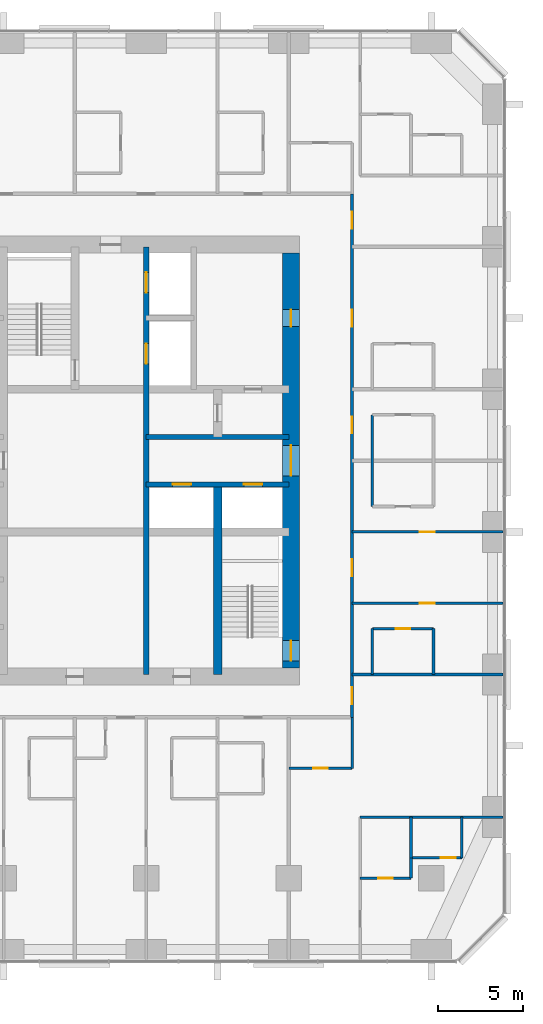
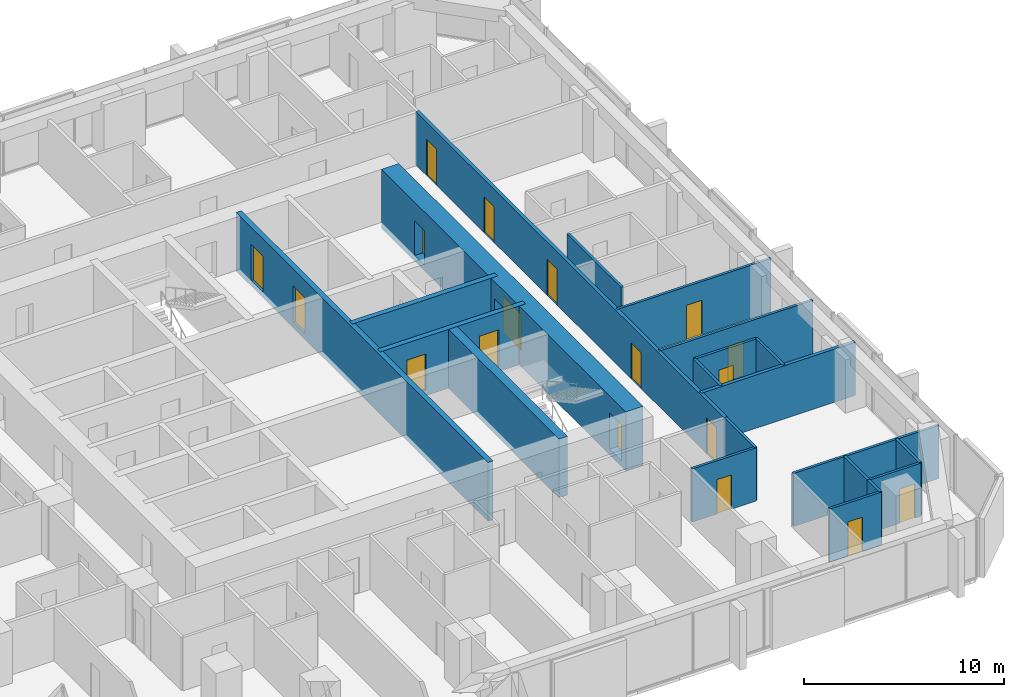
# One storey, part 10 of 14: 21 walls, 18 doors, 18 openings.
"""IFC4 building model written with IfcOpenShell, lengths in metres."""

from ifc_helpers import new_model, si_unit, direction, frame, frame_2d, origin, place, context, subcontext, project, spatial, rectangle, extrude, material, layer, layer_set, type_object, element, fill, save


model = new_model("IFC4")

# Units and contexts
model_context = context("Model", 3, precision=1e-05, world=origin(), true_north=direction((0.0, 1.0)))
body_context = subcontext(model_context, "Body", "Model", "MODEL_VIEW")
ifc_project = project(units=[si_unit("LENGTHUNIT", "METRE"), si_unit("AREAUNIT", "SQUARE_METRE"), si_unit("VOLUMEUNIT", "CUBIC_METRE"), si_unit("PLANEANGLEUNIT", "RADIAN"), si_unit("MASSUNIT", "GRAM", prefix="KILO")], contexts=[model_context])

# Site, building, storey
site_placement = place(None, origin())
site = spatial("IfcSite", under=ifc_project, at=site_placement, CompositionType="ELEMENT")
building_placement = place(site_placement, origin())
building = spatial("IfcBuilding", under=site, at=building_placement, Name="Dunama Terrace Hotel", CompositionType="ELEMENT")
storey_placement = place(building_placement, frame((0.0, 0.0, 140.39990234375)))
storey = spatial("IfcBuildingStorey", under=building, at=storey_placement, Name="L36", CompositionType="ELEMENT", Elevation=140.39990234375)

# Walls
ifc_material_1 = material(Name="Gypsum board partition", Category="masonry")
ifc_layer_1 = layer(ifc_material_1, 0.14990234375)
ifc_layer_set_1 = layer_set([ifc_layer_1], Name="Bathroom partition 150")
wall_type_1 = type_object("IfcWallType", Name="Bathroom partition 150", PredefinedType="PARTITIONING", material=ifc_layer_set_1)
wall_1_placement = place(storey_placement, frame((45.72509765625, 11.27490234375, 0.0), z_axis=(0.0, 0.0, 1.0), x_axis=(0.0, 1.0, 0.0)))
element("IfcWall", 1, at=wall_1_placement, inside=storey, type_object=wall_type_1, Name="Bathroom partition 150 L36", PredefinedType="PARTITIONING", context=body_context, shape_type="SweptSolid", body=[
    extrude(rectangle(XDim=3.0, YDim=0.14990234375, at=frame_2d((1.5, 0.0))), origin(), (0.0, 0.0, 1.0), 3.25),
])
wall_2_placement = place(storey_placement, frame((46.925048828125, 16.800048828125, 0.0), z_axis=(0.0, 0.0, 1.0), x_axis=(0.0, 1.0, 0.0)))
element("IfcWall", 2, at=wall_2_placement, inside=storey, type_object=wall_type_1, Name="Bathroom partition 150 L36", PredefinedType="PARTITIONING", context=body_context, shape_type="SweptSolid", body=[
    extrude(rectangle(XDim=2.699951171875, YDim=0.14990234375, at=frame_2d((1.35009765625, 0.0))), origin(), (0.0, 0.0, 1.0), 3.25),
])
wall_3_placement = place(storey_placement, frame((46.925048828125, 26.699951171875, 0.0), z_axis=(0.0, 0.0, 1.0), x_axis=(0.0, 1.0, 0.0)))
element("IfcWall", 3, at=wall_3_placement, inside=storey, type_object=wall_type_1, Name="Bathroom partition 150 L36", PredefinedType="PARTITIONING", context=body_context, shape_type="SweptSolid", body=[
    extrude(rectangle(XDim=5.400146484375, YDim=0.14990234375, at=frame_2d((2.7001953125, 0.0))), origin(), (0.0, 0.0, 1.0), 3.25),
])
wall_4_placement = place(storey_placement, frame((49.199951171875, 4.800048828125, 0.0), z_axis=(0.0, 0.0, 1.0), x_axis=(0.0, 1.0, 0.0)))
element("IfcWall", 4, at=wall_4_placement, inside=storey, type_object=wall_type_1, Name="Bathroom partition 150 L36", PredefinedType="PARTITIONING", context=body_context, shape_type="SweptSolid", body=[
    extrude(rectangle(XDim=1.199951171875, YDim=0.14990234375, at=frame_2d((0.60009765625, 0.0))), origin(), (0.0, 0.0, 1.0), 3.25),
])
wall_5_placement = place(storey_placement, frame((50.52490234375, 16.800048828125, 0.0), z_axis=(0.0, 0.0, 1.0), x_axis=(0.0, 1.0, 0.0)))
element("IfcWall", 5, at=wall_5_placement, inside=storey, type_object=wall_type_1, Name="Bathroom partition 150 L36", PredefinedType="PARTITIONING", context=body_context, shape_type="SweptSolid", body=[
    extrude(rectangle(XDim=2.699951171875, YDim=0.14990234375, at=frame_2d((1.35009765625, 0.0))), origin(), (0.0, 0.0, 1.0), 3.25),
])

# Wall, opening, door
wall_6_placement = place(storey_placement, frame((46.199951171875, 4.800048828125, 0.0), z_axis=(0.0, 0.0, 1.0), x_axis=(1.0, 0.0, 0.0)))
wall_6 = element("IfcWall", 6, at=wall_6_placement, inside=storey, type_object=wall_type_1, Name="Bathroom partition 150 L36", PredefinedType="PARTITIONING", context=body_context, shape_type="SweptSolid", body=[
    extrude(rectangle(XDim=3.0, YDim=0.14990234375, at=frame_2d((1.5, 0.0))), origin(), (0.0, 0.0, 1.0), 3.25),
])
opening_1_placement = place(wall_6_placement, frame((1.074951171875, 0.0, 0.0)))
opening_1 = element("IfcOpeningElement", 7, at=opening_1_placement, cuts=wall_6, Name="Opening L34-36-058", PredefinedType="OPENING", context=body_context, shape_type="SweptSolid", body=[
    extrude(rectangle(XDim=0.85009765625, YDim=2.10009765625, at=frame_2d((0.425048828125, 1.050048828125))), frame((0.0, 0.0849609375, 0.0), z_axis=(0.0, -1.0, 0.0), x_axis=(1.0, 0.0, 0.0)), (0.0, 0.0, 1.0), 0.169921875),
])
ifc_material_2 = material(Name="Timber door with steel frame", Category="steel")
door_type_1 = type_object("IfcDoorType", Name="Bathroom door 850", OperationType="SINGLE_SWING_LEFT", PredefinedType="DOOR", material=ifc_material_2)
door_1_placement = place(opening_1_placement, origin())
door_1 = element("IfcDoor", 8, at=door_1_placement, inside=storey, type_object=door_type_1, Name="Door to en-suite bathroom L34-36-058, type D2", OperationType="SINGLE_SWING_RIGHT", OverallHeight=2.10009765625, OverallWidth=0.85009765625, PredefinedType="DOOR", context=body_context, shape_type="SweptSolid", body=[
    extrude(rectangle(XDim=0.85009765625, YDim=2.10009765625, at=frame_2d((0.425048828125, 1.050048828125))), frame((0.0, 0.02490234375, 0.0), z_axis=(0.0, -1.0, 0.0), x_axis=(1.0, 0.0, 0.0)), (0.0, 0.0, 1.0), 0.050048828125),
])
fill(opening_1, door_1)

wall_7_placement = place(storey_placement, frame((42.0, 11.27490234375, 0.0), z_axis=(0.0, 0.0, 1.0), x_axis=(1.0, 0.0, 0.0)))
wall_7 = element("IfcWall", 9, at=wall_7_placement, inside=storey, type_object=wall_type_1, Name="Bathroom partition 150 L36", PredefinedType="PARTITIONING", context=body_context, shape_type="SweptSolid", body=[
    extrude(rectangle(XDim=3.72509765625, YDim=0.14990234375, at=frame_2d((1.862548828125, 0.0))), origin(), (0.0, 0.0, 1.0), 3.25),
])
opening_2_placement = place(wall_7_placement, frame((1.43798828125, 0.0, 0.0)))
opening_2 = element("IfcOpeningElement", 10, at=opening_2_placement, cuts=wall_7, Name="Opening L34-36-056", PredefinedType="OPENING", context=body_context, shape_type="SweptSolid", body=[
    extrude(rectangle(XDim=0.85009765625, YDim=2.10009765625, at=frame_2d((0.425048828125, 1.050048828125))), frame((0.0, 0.0849609375, 0.0), z_axis=(0.0, -1.0, 0.0), x_axis=(1.0, 0.0, 0.0)), (0.0, 0.0, 1.0), 0.169921875),
])
door_2_placement = place(opening_2_placement, origin())
door_2 = element("IfcDoor", 11, at=door_2_placement, inside=storey, type_object=door_type_1, Name="Door to powder room L34-36-056, type D2", OperationType="SINGLE_SWING_LEFT", OverallHeight=2.10009765625, OverallWidth=0.85009765625, PredefinedType="DOOR", context=body_context, shape_type="SweptSolid", body=[
    extrude(rectangle(XDim=0.85009765625, YDim=2.10009765625, at=frame_2d((0.425048828125, 1.050048828125))), frame((0.0, 0.02490234375, 0.0), z_axis=(0.0, -1.0, 0.0), x_axis=(1.0, 0.0, 0.0)), (0.0, 0.0, 1.0), 0.050048828125),
])
fill(opening_2, door_2)

wall_8_placement = place(storey_placement, frame((46.925048828125, 19.5, 0.0), z_axis=(0.0, 0.0, 1.0), x_axis=(1.0, 0.0, 0.0)))
wall_8 = element("IfcWall", 12, at=wall_8_placement, inside=storey, type_object=wall_type_1, Name="Bathroom partition 150 L36", PredefinedType="PARTITIONING", context=body_context, shape_type="SweptSolid", body=[
    extrude(rectangle(XDim=3.599853515625, YDim=0.14990234375, at=frame_2d((1.7998046875, 0.0))), origin(), (0.0, 0.0, 1.0), 3.25),
])
opening_3_placement = place(wall_8_placement, frame((1.375, 0.0, 0.0)))
opening_3 = element("IfcOpeningElement", 13, at=opening_3_placement, cuts=wall_8, Name="Opening L34-36-025", PredefinedType="OPENING", context=body_context, shape_type="SweptSolid", body=[
    extrude(rectangle(XDim=0.85009765625, YDim=2.10009765625, at=frame_2d((0.425048828125, 1.050048828125))), frame((0.0, 0.0849609375, 0.0), z_axis=(0.0, -1.0, 0.0), x_axis=(1.0, 0.0, 0.0)), (0.0, 0.0, 1.0), 0.169921875),
])
door_3_placement = place(opening_3_placement, frame((0.85009765625, 0.0, 0.0), z_axis=(0.0, 0.0, 1.0), x_axis=(-1.0, 0.0, 0.0)))
door_3 = element("IfcDoor", 14, at=door_3_placement, inside=storey, type_object=door_type_1, Name="Door to en-suite bathroom L34-36-025, type D2", OperationType="SINGLE_SWING_RIGHT", OverallHeight=2.10009765625, OverallWidth=0.85009765625, PredefinedType="DOOR", context=body_context, shape_type="SweptSolid", body=[
    extrude(rectangle(XDim=0.85009765625, YDim=2.10009765625, at=frame_2d((0.425048828125, 1.050048828125))), frame((0.0, 0.025146484375, 0.0), z_axis=(0.0, -1.0, 0.0), x_axis=(1.0, 0.0, 0.0)), (0.0, 0.0, 1.0), 0.050048828125),
])
fill(opening_3, door_3)

# Wall, openings, doors
ifc_material_3 = material(Name="Concrete C50/60", Category="concrete")
ifc_layer_2 = layer(ifc_material_3, 0.300048828125)
ifc_layer_set_2 = layer_set([ifc_layer_2], Name="Core inner wall 300")
wall_type_2 = type_object("IfcWallType", Name="Core inner wall 300", PredefinedType="SHEAR", material=ifc_layer_set_2)
wall_9_placement = place(storey_placement, frame((33.60009765625, 16.800048828125, -0.349853515625), z_axis=(0.0, 0.0, 1.0), x_axis=(0.0, 1.0, 0.0)))
wall_9 = element("IfcWall", 15, at=wall_9_placement, inside=storey, type_object=wall_type_2, Name="Core inner wall 300 L36", PredefinedType="SHEAR", context=body_context, shape_type="SweptSolid", body=[
    extrude(rectangle(XDim=25.199951171875, YDim=0.300048828125, at=frame_2d((12.60009765625, 0.0))), origin(), (0.0, 0.0, 1.0), 3.599853515625),
])
opening_4_placement = place(wall_9_placement, frame((22.5, 0.0, 0.35009765625)))
opening_4 = element("IfcOpeningElement", 16, at=opening_4_placement, cuts=wall_9, Name="Opening L34-36-009", PredefinedType="OPENING", context=body_context, shape_type="SweptSolid", body=[
    extrude(rectangle(XDim=1.199951171875, YDim=2.199951171875, at=frame_2d((0.60009765625, 1.10009765625))), frame((0.0, 0.159912109375, 0.0), z_axis=(0.0, -1.0, 0.0), x_axis=(1.0, 0.0, 0.0)), (0.0, 0.0, 1.0), 0.320068359375),
])
opening_5_placement = place(wall_9_placement, frame((18.300048828125, 0.0, 0.35009765625)))
opening_5 = element("IfcOpeningElement", 17, at=opening_5_placement, cuts=wall_9, Name="Opening L34-36-010", PredefinedType="OPENING", context=body_context, shape_type="SweptSolid", body=[
    extrude(rectangle(XDim=1.199951171875, YDim=2.199951171875, at=frame_2d((0.60009765625, 1.10009765625))), frame((0.0, 0.159912109375, 0.0), z_axis=(0.0, -1.0, 0.0), x_axis=(1.0, 0.0, 0.0)), (0.0, 0.0, 1.0), 0.320068359375),
])
ifc_material_4 = material(Name="Stainless steel lift door", Category="steel")
door_type_2 = type_object("IfcDoorType", Name="Firefighting lift landing door 1200", OperationType="DOUBLE_DOOR_SLIDING", PredefinedType="DOOR", material=ifc_material_4)
door_4_placement = place(opening_4_placement, origin())
door_4 = element("IfcDoor", 18, at=door_4_placement, inside=storey, type_object=door_type_2, Name="Landing door FL1 L34-36-009, type LD2", OperationType="DOUBLE_DOOR_SLIDING", OverallHeight=2.199951171875, OverallWidth=1.199951171875, PredefinedType="DOOR", context=body_context, shape_type="SweptSolid", body=[
    extrude(rectangle(XDim=1.199951171875, YDim=2.199951171875, at=frame_2d((0.60009765625, 1.10009765625))), frame((0.0, 0.02490234375, 0.0), z_axis=(0.0, -1.0, 0.0), x_axis=(1.0, 0.0, 0.0)), (0.0, 0.0, 1.0), 0.050048828125),
])
fill(opening_4, door_4)
door_5_placement = place(opening_5_placement, origin())
door_5 = element("IfcDoor", 19, at=door_5_placement, inside=storey, type_object=door_type_2, Name="Landing door FL2 L34-36-010, type LD2", OperationType="DOUBLE_DOOR_SLIDING", OverallHeight=2.199951171875, OverallWidth=1.199951171875, PredefinedType="DOOR", context=body_context, shape_type="SweptSolid", body=[
    extrude(rectangle(XDim=1.199951171875, YDim=2.199951171875, at=frame_2d((0.60009765625, 1.10009765625))), frame((0.0, 0.02490234375, 0.0), z_axis=(0.0, -1.0, 0.0), x_axis=(1.0, 0.0, 0.0)), (0.0, 0.0, 1.0), 0.050048828125),
])
fill(opening_5, door_5)

wall_10_placement = place(storey_placement, frame((33.60009765625, 28.0, -0.349853515625), z_axis=(0.0, 0.0, 1.0), x_axis=(1.0, 0.0, 0.0)))
wall_10 = element("IfcWall", 20, at=wall_10_placement, inside=storey, type_object=wall_type_2, Name="Core inner wall 300 L36", PredefinedType="SHEAR", context=body_context, shape_type="SweptSolid", body=[
    extrude(rectangle(XDim=8.39990234375, YDim=0.300048828125, at=frame_2d((4.199951171875, 0.0))), origin(), (0.0, 0.0, 1.0), 3.599853515625),
])
opening_6_placement = place(wall_10_placement, frame((1.550048828125, 0.0, 0.35009765625)))
opening_6 = element("IfcOpeningElement", 21, at=opening_6_placement, cuts=wall_10, Name="Opening L34-36-003", PredefinedType="OPENING", context=body_context, shape_type="SweptSolid", body=[
    extrude(rectangle(XDim=1.10009765625, YDim=2.199951171875, at=frame_2d((0.550048828125, 1.10009765625))), frame((0.0, 0.159912109375, 0.0), z_axis=(0.0, -1.0, 0.0), x_axis=(1.0, 0.0, 0.0)), (0.0, 0.0, 1.0), 0.320068359375),
])
opening_7_placement = place(wall_10_placement, frame((5.75, 0.0, 0.35009765625)))
opening_7 = element("IfcOpeningElement", 22, at=opening_7_placement, cuts=wall_10, Name="Opening L34-36-004", PredefinedType="OPENING", context=body_context, shape_type="SweptSolid", body=[
    extrude(rectangle(XDim=1.10009765625, YDim=2.199951171875, at=frame_2d((0.550048828125, 1.10009765625))), frame((0.0, 0.159912109375, 0.0), z_axis=(0.0, -1.0, 0.0), x_axis=(1.0, 0.0, 0.0)), (0.0, 0.0, 1.0), 0.320068359375),
])
ifc_material_5 = material(Name="Stainless steel lift door", Category="steel")
door_type_3 = type_object("IfcDoorType", Name="Lift landing door 1100", OperationType="DOUBLE_DOOR_SLIDING", PredefinedType="DOOR", material=ifc_material_5)
door_6_placement = place(opening_6_placement, origin())
door_6 = element("IfcDoor", 23, at=door_6_placement, inside=storey, type_object=door_type_3, Name="Landing door PB1 L34-36-003, type LD1", OperationType="DOUBLE_DOOR_SLIDING", OverallHeight=2.199951171875, OverallWidth=1.10009765625, PredefinedType="DOOR", context=body_context, shape_type="SweptSolid", body=[
    extrude(rectangle(XDim=1.10009765625, YDim=2.199951171875, at=frame_2d((0.550048828125, 1.10009765625))), frame((0.0, 0.02490234375, 0.0), z_axis=(0.0, -1.0, 0.0), x_axis=(1.0, 0.0, 0.0)), (0.0, 0.0, 1.0), 0.050048828125),
])
fill(opening_6, door_6)
door_7_placement = place(opening_7_placement, origin())
door_7 = element("IfcDoor", 24, at=door_7_placement, inside=storey, type_object=door_type_3, Name="Landing door PB2 L34-36-004, type LD1", OperationType="DOUBLE_DOOR_SLIDING", OverallHeight=2.199951171875, OverallWidth=1.10009765625, PredefinedType="DOOR", context=body_context, shape_type="SweptSolid", body=[
    extrude(rectangle(XDim=1.10009765625, YDim=2.199951171875, at=frame_2d((0.550048828125, 1.10009765625))), frame((0.0, 0.02490234375, 0.0), z_axis=(0.0, -1.0, 0.0), x_axis=(1.0, 0.0, 0.0)), (0.0, 0.0, 1.0), 0.050048828125),
])
fill(opening_7, door_7)

# Walls
wall_11_placement = place(storey_placement, frame((33.60009765625, 30.800048828125, -0.349853515625), z_axis=(0.0, 0.0, 1.0), x_axis=(1.0, 0.0, 0.0)))
element("IfcWall", 25, at=wall_11_placement, inside=storey, type_object=wall_type_2, Name="Core inner wall 300 L36", PredefinedType="SHEAR", context=body_context, shape_type="SweptSolid", body=[
    extrude(rectangle(XDim=8.39990234375, YDim=0.300048828125, at=frame_2d((4.199951171875, 0.0))), origin(), (0.0, 0.0, 1.0), 3.599853515625),
])
ifc_material_6 = material(Name="Concrete C50/60", Category="concrete")
ifc_layer_3 = layer(ifc_material_6, 0.5)
ifc_layer_set_3 = layer_set([ifc_layer_3], Name="Core inner wall 500")
wall_type_3 = type_object("IfcWallType", Name="Core inner wall 500", PredefinedType="SHEAR", material=ifc_layer_set_3)
wall_12_placement = place(storey_placement, frame((37.800048828125, 16.800048828125, -0.349853515625), z_axis=(0.0, 0.0, 1.0), x_axis=(0.0, 1.0, 0.0)))
element("IfcWall", 26, at=wall_12_placement, inside=storey, type_object=wall_type_3, Name="Core inner wall 500 L36", PredefinedType="SHEAR", context=body_context, shape_type="SweptSolid", body=[
    extrude(rectangle(XDim=11.199951171875, YDim=0.5, at=frame_2d((5.60009765625, 0.0))), origin(), (0.0, 0.0, 1.0), 3.599853515625),
])

# Wall, openings, doors
ifc_material_7 = material(Name="Concrete C60/75", Category="concrete")
ifc_layer_4 = layer(ifc_material_7, 1.0)
ifc_layer_set_4 = layer_set([ifc_layer_4], Name="Core wall 1000")
wall_type_4 = type_object("IfcWallType", Name="Core wall 1000", PredefinedType="SHEAR", material=ifc_layer_set_4)
wall_13_placement = place(storey_placement, frame((42.125, 17.175048828125, -0.349853515625), z_axis=(0.0, 0.0, 1.0), x_axis=(0.0, 1.0, 0.0)))
wall_13 = element("IfcWall", 27, at=wall_13_placement, inside=storey, type_object=wall_type_4, Name="Core wall east L36", PredefinedType="SHEAR", context=body_context, shape_type="SweptSolid", body=[
    extrude(rectangle(XDim=24.449951171875, YDim=1.0, at=frame_2d((12.22509765625, 0.0))), origin(), (0.0, 0.0, 1.0), 3.599853515625),
])
opening_8_placement = place(wall_13_placement, frame((0.425048828125, 0.0, 0.35009765625)))
opening_8 = element("IfcOpeningElement", 28, at=opening_8_placement, cuts=wall_13, Name="Opening L34-36-002", PredefinedType="OPENING", context=body_context, shape_type="SweptSolid", body=[
    extrude(rectangle(XDim=1.199951171875, YDim=2.199951171875, at=frame_2d((0.60009765625, 1.10009765625))), frame((0.0, 0.510009765625, 0.0), z_axis=(0.0, -1.0, 0.0), x_axis=(1.0, 0.0, 0.0)), (0.0, 0.0, 1.0), 1.02001953125),
])
opening_9_placement = place(wall_13_placement, frame((11.324951171875, 0.0, 0.35009765625)))
opening_9 = element("IfcOpeningElement", 29, at=opening_9_placement, cuts=wall_13, Name="Opening L34-36-077", PredefinedType="OPENING", context=body_context, shape_type="SweptSolid", body=[
    extrude(rectangle(XDim=1.800048828125, YDim=2.199951171875, at=frame_2d((0.89990234375, 1.10009765625))), frame((0.0, 0.510009765625, 0.0), z_axis=(0.0, -1.0, 0.0), x_axis=(1.0, 0.0, 0.0)), (0.0, 0.0, 1.0), 1.02001953125),
])
opening_10_placement = place(wall_13_placement, frame((20.125, 0.0, 0.35009765625)))
opening_10 = element("IfcOpeningElement", 30, at=opening_10_placement, cuts=wall_13, Name="Opening L34-36-079", PredefinedType="OPENING", context=body_context, shape_type="SweptSolid", body=[
    extrude(rectangle(XDim=1.0, YDim=2.10009765625, at=frame_2d((0.5, 1.050048828125))), frame((0.0, 0.510009765625, 0.0), z_axis=(0.0, -1.0, 0.0), x_axis=(1.0, 0.0, 0.0)), (0.0, 0.0, 1.0), 1.02001953125),
])
ifc_material_8 = material(Name="Timber door with steel frame", Category="steel")
door_type_4 = type_object("IfcDoorType", Name="Lift lobby double door 1800", OperationType="DOUBLE_DOOR_DOUBLE_SWING", PredefinedType="DOOR", material=ifc_material_8)
door_8_placement = place(opening_9_placement, origin())
door_8 = element("IfcDoor", 31, at=door_8_placement, inside=storey, type_object=door_type_4, Name="Door to lift lobby L34-36-077, type D3", OperationType="DOUBLE_DOOR_DOUBLE_SWING", OverallHeight=2.199951171875, OverallWidth=1.800048828125, PredefinedType="DOOR", context=body_context, shape_type="SweptSolid", body=[
    extrude(rectangle(XDim=1.800048828125, YDim=2.199951171875, at=frame_2d((0.89990234375, 1.10009765625))), frame((0.0, 0.02490234375, 0.0), z_axis=(0.0, -1.0, 0.0), x_axis=(1.0, 0.0, 0.0)), (0.0, 0.0, 1.0), 0.050048828125),
])
fill(opening_9, door_8)
ifc_material_9 = material(Name="Timber door with steel frame", Category="steel")
door_type_5 = type_object("IfcDoorType", Name="Service door 1000", OperationType="SINGLE_SWING_LEFT", PredefinedType="DOOR", material=ifc_material_9)
door_9_placement = place(opening_10_placement, origin())
door_9 = element("IfcDoor", 32, at=door_9_placement, inside=storey, type_object=door_type_5, Name="Door to ice and vending room L34-36-079, type D7", OperationType="SINGLE_SWING_RIGHT", OverallHeight=2.10009765625, OverallWidth=1.0, PredefinedType="DOOR", context=body_context, shape_type="SweptSolid", body=[
    extrude(rectangle(XDim=1.0, YDim=2.10009765625, at=frame_2d((0.5, 1.050048828125))), frame((0.0, 0.02490234375, 0.0), z_axis=(0.0, -1.0, 0.0), x_axis=(1.0, 0.0, 0.0)), (0.0, 0.0, 1.0), 0.050048828125),
])
fill(opening_10, door_9)
ifc_material_10 = material(Name="Timber door with steel frame", Category="steel")
door_type_6 = type_object("IfcDoorType", Name="Stair door 1200", OperationType="SINGLE_SWING_LEFT", PredefinedType="DOOR", material=ifc_material_10)
door_10_placement = place(opening_8_placement, origin())
door_10 = element("IfcDoor", 33, at=door_10_placement, inside=storey, type_object=door_type_6, Name="Stair door ST2 L34-36-002, type D5", OperationType="SINGLE_SWING_LEFT", OverallHeight=2.199951171875, OverallWidth=1.199951171875, PredefinedType="DOOR", context=body_context, shape_type="SweptSolid", body=[
    extrude(rectangle(XDim=1.199951171875, YDim=2.199951171875, at=frame_2d((0.60009765625, 1.10009765625))), frame((0.0, 0.02490234375, 0.0), z_axis=(0.0, -1.0, 0.0), x_axis=(1.0, 0.0, 0.0)), (0.0, 0.0, 1.0), 0.050048828125),
])
fill(opening_8, door_10)

ifc_material_11 = material(Name="Concrete blockwork", Category="masonry")
ifc_layer_5 = layer(ifc_material_11, 0.199951171875)
ifc_layer_set_5 = layer_set([ifc_layer_5], Name="Corridor partition 200")
wall_type_5 = type_object("IfcWallType", Name="Corridor partition 200", PredefinedType="PARTITIONING", material=ifc_layer_set_5)
wall_14_placement = place(storey_placement, frame((45.72509765625, 45.125, 0.0), z_axis=(0.0, 0.0, 1.0), x_axis=(0.0, -1.0, 0.0)))
wall_14 = element("IfcWall", 34, at=wall_14_placement, inside=storey, type_object=wall_type_5, Name="Corridor partition 200 L36", PredefinedType="PARTITIONING", context=body_context, shape_type="SweptSolid", body=[
    extrude(rectangle(XDim=30.85009765625, YDim=0.199951171875, at=frame_2d((15.425048828125, 0.0))), origin(), (0.0, 0.0, 1.0), 3.25),
])
opening_11_placement = place(wall_14_placement, frame((21.52490234375, 0.0, 0.0)))
opening_11 = element("IfcOpeningElement", 35, at=opening_11_placement, cuts=wall_14, Name="Opening L34-36-023", PredefinedType="OPENING", context=body_context, shape_type="SweptSolid", body=[
    extrude(rectangle(XDim=1.0, YDim=2.199951171875, at=frame_2d((0.5, 1.10009765625))), frame((0.0, 0.10986328125, 0.0), z_axis=(0.0, -1.0, 0.0), x_axis=(1.0, 0.0, 0.0)), (0.0, 0.0, 1.0), 0.219970703125),
])
opening_12_placement = place(wall_14_placement, frame((13.125, 0.0, 0.0)))
opening_12 = element("IfcOpeningElement", 36, at=opening_12_placement, cuts=wall_14, Name="Opening L34-36-028", PredefinedType="OPENING", context=body_context, shape_type="SweptSolid", body=[
    extrude(rectangle(XDim=1.0, YDim=2.199951171875, at=frame_2d((0.5, 1.10009765625))), frame((0.0, 0.10986328125, 0.0), z_axis=(0.0, -1.0, 0.0), x_axis=(1.0, 0.0, 0.0)), (0.0, 0.0, 1.0), 0.219970703125),
])
opening_13_placement = place(wall_14_placement, frame((6.824951171875, 0.0, 0.0)))
opening_13 = element("IfcOpeningElement", 37, at=opening_13_placement, cuts=wall_14, Name="Opening L34-36-030", PredefinedType="OPENING", context=body_context, shape_type="SweptSolid", body=[
    extrude(rectangle(XDim=1.0, YDim=2.199951171875, at=frame_2d((0.5, 1.10009765625))), frame((0.0, 0.10986328125, 0.0), z_axis=(0.0, -1.0, 0.0), x_axis=(1.0, 0.0, 0.0)), (0.0, 0.0, 1.0), 0.219970703125),
])
opening_14_placement = place(wall_14_placement, frame((29.0869140625, 0.0, 0.0)))
opening_14 = element("IfcOpeningElement", 38, at=opening_14_placement, cuts=wall_14, Name="Opening L34-36-055", PredefinedType="OPENING", context=body_context, shape_type="SweptSolid", body=[
    extrude(rectangle(XDim=1.0, YDim=2.199951171875, at=frame_2d((0.5, 1.10009765625))), frame((0.0, 0.10986328125, 0.0), z_axis=(0.0, -1.0, 0.0), x_axis=(1.0, 0.0, 0.0)), (0.0, 0.0, 1.0), 0.219970703125),
])
opening_15_placement = place(wall_14_placement, frame((1.06298828125, 0.0, 0.0)))
opening_15 = element("IfcOpeningElement", 39, at=opening_15_placement, cuts=wall_14, Name="Opening L34-36-060", PredefinedType="OPENING", context=body_context, shape_type="SweptSolid", body=[
    extrude(rectangle(XDim=1.0, YDim=2.199951171875, at=frame_2d((0.5, 1.10009765625))), frame((0.0, 0.10986328125, 0.0), z_axis=(0.0, -1.0, 0.0), x_axis=(1.0, 0.0, 0.0)), (0.0, 0.0, 1.0), 0.219970703125),
])
ifc_material_12 = material(Name="Timber door with steel frame", Category="steel")
door_type_7 = type_object("IfcDoorType", Name="Guest room door 1000", OperationType="SINGLE_SWING_LEFT", PredefinedType="DOOR", material=ifc_material_12)
door_11_placement = place(opening_11_placement, origin())
door_11 = element("IfcDoor", 40, at=door_11_placement, inside=storey, type_object=door_type_7, Name="Door to family suite living room L34-36-023, type D1", OperationType="SINGLE_SWING_LEFT", OverallHeight=2.199951171875, OverallWidth=1.0, PredefinedType="DOOR", context=body_context, shape_type="SweptSolid", body=[
    extrude(rectangle(XDim=1.0, YDim=2.199951171875, at=frame_2d((0.5, 1.10009765625))), frame((0.0, 0.02490234375, 0.0), z_axis=(0.0, -1.0, 0.0), x_axis=(1.0, 0.0, 0.0)), (0.0, 0.0, 1.0), 0.050048828125),
])
fill(opening_11, door_11)
door_12_placement = place(opening_12_placement, origin())
door_12 = element("IfcDoor", 41, at=door_12_placement, inside=storey, type_object=door_type_7, Name="Door to premier room L34-36-028, type D1", OperationType="SINGLE_SWING_LEFT", OverallHeight=2.199951171875, OverallWidth=1.0, PredefinedType="DOOR", context=body_context, shape_type="SweptSolid", body=[
    extrude(rectangle(XDim=1.0, YDim=2.199951171875, at=frame_2d((0.5, 1.10009765625))), frame((0.0, 0.02490234375, 0.0), z_axis=(0.0, -1.0, 0.0), x_axis=(1.0, 0.0, 0.0)), (0.0, 0.0, 1.0), 0.050048828125),
])
fill(opening_12, door_12)
door_13_placement = place(opening_13_placement, origin())
door_13 = element("IfcDoor", 42, at=door_13_placement, inside=storey, type_object=door_type_7, Name="Door to junior suite L34-36-030, type D1", OperationType="SINGLE_SWING_RIGHT", OverallHeight=2.199951171875, OverallWidth=1.0, PredefinedType="DOOR", context=body_context, shape_type="SweptSolid", body=[
    extrude(rectangle(XDim=1.0, YDim=2.199951171875, at=frame_2d((0.5, 1.10009765625))), frame((0.0, 0.02490234375, 0.0), z_axis=(0.0, -1.0, 0.0), x_axis=(1.0, 0.0, 0.0)), (0.0, 0.0, 1.0), 0.050048828125),
])
fill(opening_13, door_13)
door_14_placement = place(opening_14_placement, origin())
door_14 = element("IfcDoor", 43, at=door_14_placement, inside=storey, type_object=door_type_7, Name="Door to corner suite living room L34-36-055, type D1", OperationType="SINGLE_SWING_LEFT", OverallHeight=2.199951171875, OverallWidth=1.0, PredefinedType="DOOR", context=body_context, shape_type="SweptSolid", body=[
    extrude(rectangle(XDim=1.0, YDim=2.199951171875, at=frame_2d((0.5, 1.10009765625))), frame((0.0, 0.02490234375, 0.0), z_axis=(0.0, -1.0, 0.0), x_axis=(1.0, 0.0, 0.0)), (0.0, 0.0, 1.0), 0.050048828125),
])
fill(opening_14, door_14)
door_15_placement = place(opening_15_placement, origin())
door_15 = element("IfcDoor", 44, at=door_15_placement, inside=storey, type_object=door_type_7, Name="Door to corner suite living room L34-36-060, type D1", OperationType="SINGLE_SWING_RIGHT", OverallHeight=2.199951171875, OverallWidth=1.0, PredefinedType="DOOR", context=body_context, shape_type="SweptSolid", body=[
    extrude(rectangle(XDim=1.0, YDim=2.199951171875, at=frame_2d((0.5, 1.10009765625))), frame((0.0, 0.02490234375, 0.0), z_axis=(0.0, -1.0, 0.0), x_axis=(1.0, 0.0, 0.0)), (0.0, 0.0, 1.0), 0.050048828125),
])
fill(opening_15, door_15)

# Walls
ifc_material_13 = material(Name="Concrete blockwork", Category="masonry")
ifc_layer_6 = layer(ifc_material_13, 0.199951171875)
ifc_layer_set_6 = layer_set([ifc_layer_6], Name="Party wall 200")
wall_type_6 = type_object("IfcWallType", Name="Party wall 200", PredefinedType="PARTITIONING", material=ifc_layer_set_6)
wall_15_placement = place(storey_placement, frame((45.72509765625, 16.800048828125, 0.0), z_axis=(0.0, 0.0, 1.0), x_axis=(1.0, 0.0, 0.0)))
element("IfcWall", 45, at=wall_15_placement, inside=storey, type_object=wall_type_6, Name="Party wall 200 L36", PredefinedType="PARTITIONING", context=body_context, shape_type="SweptSolid", body=[
    extrude(rectangle(XDim=8.892822265625, YDim=0.199951171875, at=frame_2d((4.4462890625, 0.0))), origin(), (0.0, 0.0, 1.0), 3.25),
])
ifc_material_14 = material(Name="Gypsum board partition", Category="masonry")
ifc_layer_7 = layer(ifc_material_14, 0.14990234375)
ifc_layer_set_7 = layer_set([ifc_layer_7], Name="Room partition 150")
wall_type_7 = type_object("IfcWallType", Name="Room partition 150", PredefinedType="PARTITIONING", material=ifc_layer_set_7)
for number, where, z_axis, x_axis, name in (
    (46, (49.199951171875, 6.0, 0.0), (0.0, 0.0, 1.0), (0.0, 1.0, 0.0), "Room partition 150 L36"),
    (47, (52.199951171875, 6.0, 0.0), (0.0, 0.0, 1.0), (0.0, 1.0, 0.0), "Room partition 150 L36"),
):
    element("IfcWall", number, at=place(storey_placement, frame(where, z_axis=z_axis, x_axis=x_axis)), inside=storey, type_object=wall_type_7, Name=name, PredefinedType="PARTITIONING", context=body_context, shape_type="SweptSolid", body=[
        extrude(rectangle(XDim=2.39990234375, YDim=0.14990234375, at=frame_2d((1.199951171875, 0.0))), origin(), (0.0, 0.0, 1.0), 3.25),
    ])

# Wall, opening, door
wall_16_placement = place(storey_placement, frame((49.199951171875, 6.0, 0.0), z_axis=(0.0, 0.0, 1.0), x_axis=(1.0, 0.0, 0.0)))
wall_16 = element("IfcWall", 48, at=wall_16_placement, inside=storey, type_object=wall_type_7, Name="Room partition 150 L36", PredefinedType="PARTITIONING", context=body_context, shape_type="SweptSolid", body=[
    extrude(rectangle(XDim=3.0, YDim=0.14990234375, at=frame_2d((1.5, 0.0))), origin(), (0.0, 0.0, 1.0), 3.25),
])
opening_16_placement = place(wall_16_placement, frame((1.75, 0.0, 0.0)))
opening_16 = element("IfcOpeningElement", 49, at=opening_16_placement, cuts=wall_16, Name="Opening L34-36-059", PredefinedType="OPENING", context=body_context, shape_type="SweptSolid", body=[
    extrude(rectangle(XDim=0.89990234375, YDim=2.10009765625, at=frame_2d((0.449951171875, 1.050048828125))), frame((0.0, 0.0849609375, 0.0), z_axis=(0.0, -1.0, 0.0), x_axis=(1.0, 0.0, 0.0)), (0.0, 0.0, 1.0), 0.169921875),
])
ifc_material_15 = material(Name="Timber door with steel frame", Category="steel")
door_type_8 = type_object("IfcDoorType", Name="Suite internal door 900", OperationType="SINGLE_SWING_LEFT", PredefinedType="DOOR", material=ifc_material_15)
door_16_placement = place(opening_16_placement, origin())
door_16 = element("IfcDoor", 50, at=door_16_placement, inside=storey, type_object=door_type_8, Name="Door to dressing room L34-36-059, type D16", OperationType="SINGLE_SWING_RIGHT", OverallHeight=2.10009765625, OverallWidth=0.89990234375, PredefinedType="DOOR", context=body_context, shape_type="SweptSolid", body=[
    extrude(rectangle(XDim=0.89990234375, YDim=2.10009765625, at=frame_2d((0.449951171875, 1.050048828125))), frame((0.0, 0.02490234375, 0.0), z_axis=(0.0, -1.0, 0.0), x_axis=(1.0, 0.0, 0.0)), (0.0, 0.0, 1.0), 0.050048828125),
])
fill(opening_16, door_16)

# Wall
wall_17_placement = place(storey_placement, frame((46.199951171875, 8.39990234375, 0.0), z_axis=(0.0, 0.0, 1.0), x_axis=(1.0, 0.0, 0.0)))
element("IfcWall", 51, at=wall_17_placement, inside=storey, type_object=wall_type_7, Name="Room partition 150 L36", PredefinedType="PARTITIONING", context=body_context, shape_type="SweptSolid", body=[
    extrude(rectangle(XDim=8.41796875, YDim=0.14990234375, at=frame_2d((4.208984375, 0.0))), origin(), (0.0, 0.0, 1.0), 3.25),
])

# Wall, opening, door
wall_18_placement = place(storey_placement, frame((45.72509765625, 21.0, 0.0), z_axis=(0.0, 0.0, 1.0), x_axis=(1.0, 0.0, 0.0)))
wall_18 = element("IfcWall", 52, at=wall_18_placement, inside=storey, type_object=wall_type_7, Name="Room partition 150 L36", PredefinedType="PARTITIONING", context=body_context, shape_type="SweptSolid", body=[
    extrude(rectangle(XDim=8.892822265625, YDim=0.14990234375, at=frame_2d((4.4462890625, 0.0))), origin(), (0.0, 0.0, 1.0), 3.25),
])
opening_17_placement = place(wall_18_placement, frame((3.987060546875, 0.0, 0.0)))
opening_17 = element("IfcOpeningElement", 53, at=opening_17_placement, cuts=wall_18, Name="Opening L34-36-024", PredefinedType="OPENING", context=body_context, shape_type="SweptSolid", body=[
    extrude(rectangle(XDim=0.89990234375, YDim=2.10009765625, at=frame_2d((0.449951171875, 1.050048828125))), frame((0.0, 0.0849609375, 0.0), z_axis=(0.0, -1.0, 0.0), x_axis=(1.0, 0.0, 0.0)), (0.0, 0.0, 1.0), 0.169921875),
])
door_17_placement = place(opening_17_placement, frame((0.89990234375, 0.0, 0.0), z_axis=(0.0, 0.0, 1.0), x_axis=(-1.0, 0.0, 0.0)))
door_17 = element("IfcDoor", 54, at=door_17_placement, inside=storey, type_object=door_type_8, Name="Door to family suite bedroom L34-36-024, type D16", OperationType="SINGLE_SWING_RIGHT", OverallHeight=2.10009765625, OverallWidth=0.89990234375, PredefinedType="DOOR", context=body_context, shape_type="SweptSolid", body=[
    extrude(rectangle(XDim=0.89990234375, YDim=2.10009765625, at=frame_2d((0.449951171875, 1.050048828125))), frame((0.0, 0.025146484375, 0.0), z_axis=(0.0, -1.0, 0.0), x_axis=(1.0, 0.0, 0.0)), (0.0, 0.0, 1.0), 0.050048828125),
])
fill(opening_17, door_17)

wall_19_placement = place(storey_placement, frame((45.72509765625, 25.199951171875, 0.0), z_axis=(0.0, 0.0, 1.0), x_axis=(1.0, 0.0, 0.0)))
wall_19 = element("IfcWall", 55, at=wall_19_placement, inside=storey, type_object=wall_type_7, Name="Room partition 150 L36", PredefinedType="PARTITIONING", context=body_context, shape_type="SweptSolid", body=[
    extrude(rectangle(XDim=8.892822265625, YDim=0.14990234375, at=frame_2d((4.4462890625, 0.0))), origin(), (0.0, 0.0, 1.0), 3.25),
])
opening_18_placement = place(wall_19_placement, frame((3.987060546875, 0.0, 0.0)))
opening_18 = element("IfcOpeningElement", 56, at=opening_18_placement, cuts=wall_19, Name="Opening L34-36-026", PredefinedType="OPENING", context=body_context, shape_type="SweptSolid", body=[
    extrude(rectangle(XDim=0.89990234375, YDim=2.10009765625, at=frame_2d((0.449951171875, 1.050048828125))), frame((0.0, 0.0849609375, 0.0), z_axis=(0.0, -1.0, 0.0), x_axis=(1.0, 0.0, 0.0)), (0.0, 0.0, 1.0), 0.169921875),
])
door_18_placement = place(opening_18_placement, origin())
door_18 = element("IfcDoor", 57, at=door_18_placement, inside=storey, type_object=door_type_8, Name="Door to family suite second bedroom L34-36-026, type D16", OperationType="SINGLE_SWING_LEFT", OverallHeight=2.10009765625, OverallWidth=0.89990234375, PredefinedType="DOOR", context=body_context, shape_type="SweptSolid", body=[
    extrude(rectangle(XDim=0.89990234375, YDim=2.10009765625, at=frame_2d((0.449951171875, 1.050048828125))), frame((0.0, 0.02490234375, 0.0), z_axis=(0.0, -1.0, 0.0), x_axis=(1.0, 0.0, 0.0)), (0.0, 0.0, 1.0), 0.050048828125),
])
fill(opening_18, door_18)

save(model, "model.ifc")
